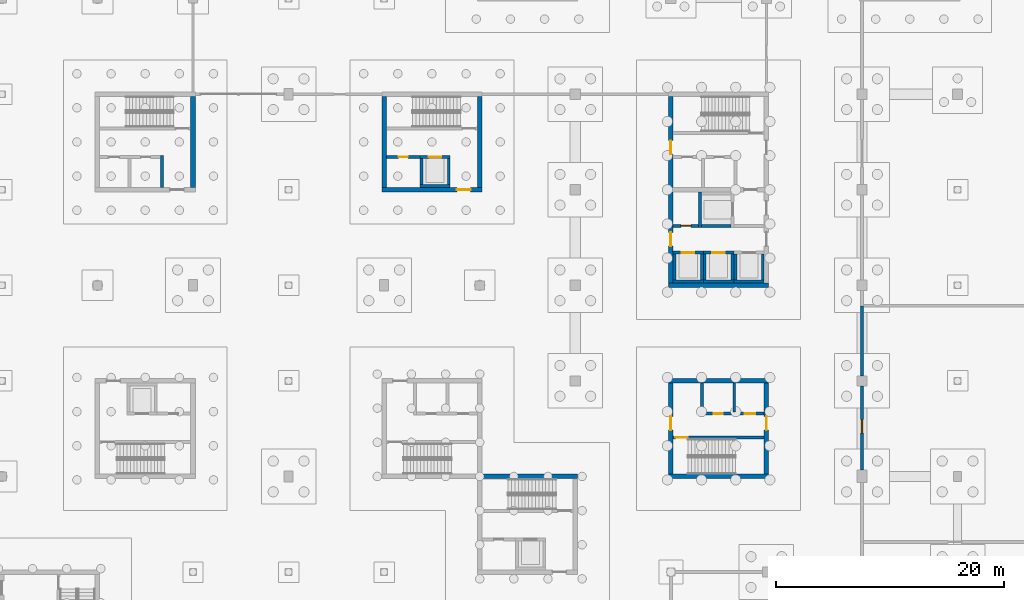
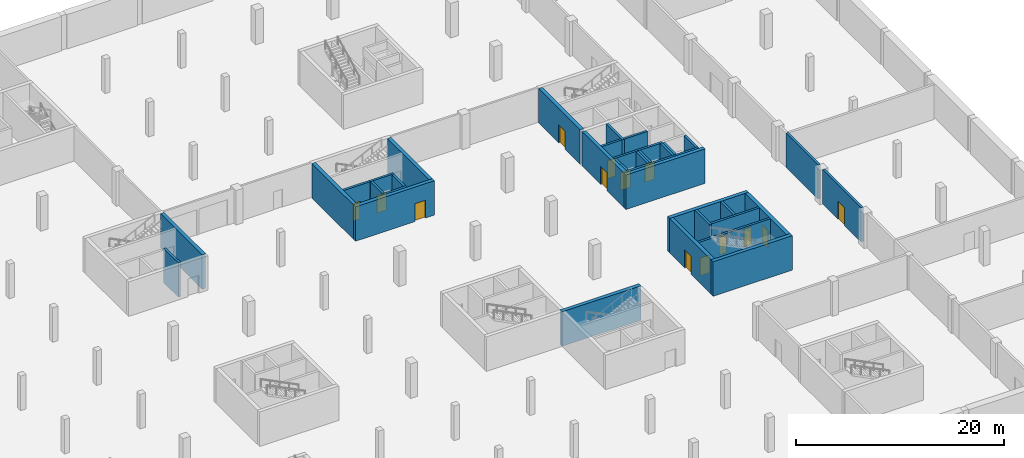
# One storey, part 13 of 23: 38 walls, 14 doors, 14 openings.
"""IFC4 building model written with IfcOpenShell, lengths in metres."""

from ifc_helpers import new_model, si_unit, direction, frame, frame_2d, origin, place, context, subcontext, project, spatial, rectangle, extrude, material, layer, layer_set, type_object, element, fill, save


model = new_model("IFC4")

# Units and contexts
model_context = context("Model", 3, precision=1e-05, world=origin(), true_north=direction((0.0, 1.0)))
body_context = subcontext(model_context, "Body", "Model", "MODEL_VIEW")
ifc_project = project(units=[si_unit("LENGTHUNIT", "METRE"), si_unit("AREAUNIT", "SQUARE_METRE"), si_unit("VOLUMEUNIT", "CUBIC_METRE"), si_unit("PLANEANGLEUNIT", "RADIAN"), si_unit("MASSUNIT", "GRAM", prefix="KILO")], contexts=[model_context])

# Site, building, storey
site_placement = place(None, origin())
site = spatial("IfcSite", under=ifc_project, at=site_placement, CompositionType="ELEMENT")
building_placement = place(site_placement, origin())
building = spatial("IfcBuilding", under=site, at=building_placement, Name="Hlaing Beacon Police Headquarters", CompositionType="ELEMENT")
storey_placement = place(building_placement, frame((0.0, 0.0, -4.5)))
storey = spatial("IfcBuildingStorey", under=building, at=storey_placement, Name="B1", CompositionType="ELEMENT", Elevation=-4.5)

# Wall
ifc_material_1 = material(Name="Concrete C60/75", Category="concrete")
ifc_layer_1 = layer(ifc_material_1, 0.39990234375)
ifc_layer_set_1 = layer_set([ifc_layer_1], Name="Concrete C60/75")
wall_type_1 = type_object("IfcWallType", Name="Core shear wall 400", PredefinedType="SHEAR", material=ifc_layer_set_1)
wall_1_placement = place(storey_placement, frame((67.199951171875, 59.0, 0.0), z_axis=(0.0, 0.0, 1.0), x_axis=(0.0, 1.0, 0.0)))
element("IfcWall", 1, at=wall_1_placement, inside=storey, type_object=wall_type_1, Name="Core shear wall", PredefinedType="SHEAR", context=body_context, shape_type="SweptSolid", body=[
    extrude(rectangle(XDim=8.0, YDim=0.39990234375, at=frame_2d((4.0, 0.0))), origin(), (0.0, 0.0, 1.0), 4.050048828125),
])

# Wall, opening, door
wall_2_placement = place(storey_placement, frame((83.800048828125, 58.800048828125, 0.0), z_axis=(0.0, 0.0, 1.0), x_axis=(1.0, 0.0, 0.0)))
wall_2 = element("IfcWall", 2, at=wall_2_placement, inside=storey, type_object=wall_type_1, Name="Core shear wall", PredefinedType="SHEAR", context=body_context, shape_type="SweptSolid", body=[
    extrude(rectangle(XDim=8.800048828125, YDim=0.39990234375, at=frame_2d((4.39990234375, 0.0))), origin(), (0.0, 0.0, 1.0), 4.050048828125),
])
opening_1_placement = place(wall_2_placement, frame((6.60009765625, 0.0, 0.0)))
opening_1 = element("IfcOpeningElement", 3, at=opening_1_placement, cuts=wall_2, Name="Opening B1-912", PredefinedType="OPENING", context=body_context, shape_type="SweptSolid", body=[
    extrude(rectangle(XDim=1.199951171875, YDim=2.10009765625, at=frame_2d((0.60009765625, 1.050048828125))), frame((0.0, 0.2099609375, 0.0), z_axis=(0.0, -1.0, 0.0), x_axis=(1.0, 0.0, 0.0)), (0.0, 0.0, 1.0), 0.419921875),
])
ifc_material_2 = material(Name="Steel fire door leaf", Category="steel")
ifc_layer_2 = layer(ifc_material_2, 0.070068359375)
ifc_layer_set_2 = layer_set([ifc_layer_2], Name="Steel fire door leaf")
door_type_1 = type_object("IfcDoorType", Name="Steel fire door FD60S 1200x2100", OperationType="SINGLE_SWING_LEFT", PredefinedType="DOOR", material=ifc_layer_set_2)
door_1_placement = place(opening_1_placement, origin())
door_1 = element("IfcDoor", 4, at=door_1_placement, inside=storey, type_object=door_type_1, Name="Door Lift and Stair Lobby ST-D Entry", OperationType="SINGLE_SWING_RIGHT", OverallHeight=2.10009765625, OverallWidth=1.199951171875, PredefinedType="DOOR", context=body_context, shape_type="SweptSolid", body=[
    extrude(rectangle(XDim=1.199951171875, YDim=2.10009765625, at=frame_2d((0.60009765625, 1.050048828125))), frame((0.0, 0.03515625, 0.0), z_axis=(0.0, -1.0, 0.0), x_axis=(1.0, 0.0, 0.0)), (0.0, 0.0, 1.0), 0.070068359375),
])
fill(opening_1, door_1)

# Walls
for number, where, z_axis, x_axis, name in (
    (5, (84.0, 59.0, 0.0), (0.0, 0.0, 1.0), (0.0, 1.0, 0.0), "Core shear wall"),
    (6, (92.39990234375, 59.0, 0.0), (0.0, 0.0, 1.0), (0.0, 1.0, 0.0), "Core shear wall"),
):
    element("IfcWall", number, at=place(storey_placement, frame(where, z_axis=z_axis, x_axis=x_axis)), inside=storey, type_object=wall_type_1, Name=name, PredefinedType="SHEAR", context=body_context, shape_type="SweptSolid", body=[
        extrude(rectangle(XDim=8.0, YDim=0.39990234375, at=frame_2d((4.0, 0.0))), origin(), (0.0, 0.0, 1.0), 4.050048828125),
    ])
for number, where, z_axis, x_axis, name in (
    (7, (92.199951171875, 33.60009765625, 0.0), (0.0, 0.0, 1.0), (1.0, 0.0, 0.0), "Core shear wall"),
    (8, (109.0, 50.39990234375, 0.0), (0.0, 0.0, 1.0), (1.0, 0.0, 0.0), "Core shear wall"),
):
    element("IfcWall", number, at=place(storey_placement, frame(where, z_axis=z_axis, x_axis=x_axis)), inside=storey, type_object=wall_type_1, Name=name, PredefinedType="SHEAR", context=body_context, shape_type="SweptSolid", body=[
        extrude(rectangle(XDim=8.800048828125, YDim=0.39990234375, at=frame_2d((4.39990234375, 0.0))), origin(), (0.0, 0.0, 1.0), 4.050048828125),
    ])

# Wall, opening, door
wall_3_placement = place(storey_placement, frame((109.199951171875, 50.60009765625, 0.0), z_axis=(0.0, 0.0, 1.0), x_axis=(0.0, 1.0, 0.0)))
wall_3 = element("IfcWall", 9, at=wall_3_placement, inside=storey, type_object=wall_type_1, Name="Core shear wall", PredefinedType="SHEAR", context=body_context, shape_type="SweptSolid", body=[
    extrude(rectangle(XDim=8.0, YDim=0.39990234375, at=frame_2d((4.0, 0.0))), origin(), (0.0, 0.0, 1.0), 4.050048828125),
])
opening_2_placement = place(wall_3_placement, frame((3.25, 0.0, 0.0)))
opening_2 = element("IfcOpeningElement", 10, at=opening_2_placement, cuts=wall_3, Name="Opening B1-935", PredefinedType="OPENING", context=body_context, shape_type="SweptSolid", body=[
    extrude(rectangle(XDim=1.199951171875, YDim=2.10009765625, at=frame_2d((0.60009765625, 1.050048828125))), frame((0.0, 0.2099609375, 0.0), z_axis=(0.0, -1.0, 0.0), x_axis=(1.0, 0.0, 0.0)), (0.0, 0.0, 1.0), 0.419921875),
])
door_2_placement = place(opening_2_placement, frame((1.199951171875, 0.0, 0.0), z_axis=(0.0, 0.0, 1.0), x_axis=(-1.0, 0.0, 0.0)))
door_2 = element("IfcDoor", 11, at=door_2_placement, inside=storey, type_object=door_type_1, Name="Door Lift Lobby Entry", OperationType="SINGLE_SWING_LEFT", OverallHeight=2.10009765625, OverallWidth=1.199951171875, PredefinedType="DOOR", context=body_context, shape_type="SweptSolid", body=[
    extrude(rectangle(XDim=1.199951171875, YDim=2.10009765625, at=frame_2d((0.599853515625, 1.050048828125))), frame((0.0, 0.034912109375, 0.0), z_axis=(0.0, -1.0, 0.0), x_axis=(1.0, 0.0, 0.0)), (0.0, 0.0, 1.0), 0.070068359375),
])
fill(opening_2, door_2)

wall_4_placement = place(storey_placement, frame((109.199951171875, 59.0, 0.0), z_axis=(0.0, 0.0, 1.0), x_axis=(0.0, 1.0, 0.0)))
wall_4 = element("IfcWall", 12, at=wall_4_placement, inside=storey, type_object=wall_type_1, Name="Core shear wall", PredefinedType="SHEAR", context=body_context, shape_type="SweptSolid", body=[
    extrude(rectangle(XDim=8.0, YDim=0.39990234375, at=frame_2d((4.0, 0.0))), origin(), (0.0, 0.0, 1.0), 4.050048828125),
])
opening_3_placement = place(wall_4_placement, frame((2.925048828125, 0.0, 0.0)))
opening_3 = element("IfcOpeningElement", 13, at=opening_3_placement, cuts=wall_4, Name="Opening B1-941", PredefinedType="OPENING", context=body_context, shape_type="SweptSolid", body=[
    extrude(rectangle(XDim=1.199951171875, YDim=2.10009765625, at=frame_2d((0.60009765625, 1.050048828125))), frame((0.0, 0.2099609375, 0.0), z_axis=(0.0, -1.0, 0.0), x_axis=(1.0, 0.0, 0.0)), (0.0, 0.0, 1.0), 0.419921875),
])
door_3_placement = place(opening_3_placement, frame((1.199951171875, 0.0, 0.0), z_axis=(0.0, 0.0, 1.0), x_axis=(-1.0, 0.0, 0.0)))
door_3 = element("IfcDoor", 14, at=door_3_placement, inside=storey, type_object=door_type_1, Name="Door Stair Lobby ST-M Entry", OperationType="SINGLE_SWING_LEFT", OverallHeight=2.10009765625, OverallWidth=1.199951171875, PredefinedType="DOOR", context=body_context, shape_type="SweptSolid", body=[
    extrude(rectangle(XDim=1.199951171875, YDim=2.10009765625, at=frame_2d((0.599853515625, 1.050048828125))), frame((0.0, 0.034912109375, 0.0), z_axis=(0.0, -1.0, 0.0), x_axis=(1.0, 0.0, 0.0)), (0.0, 0.0, 1.0), 0.070068359375),
])
fill(opening_3, door_3)

# Walls
for number, where, z_axis, x_axis, name in (
    (15, (109.0, 33.60009765625, 0.0), (0.0, 0.0, 1.0), (1.0, 0.0, 0.0), "Core shear wall"),
    (16, (109.0, 42.0, 0.0), (0.0, 0.0, 1.0), (1.0, 0.0, 0.0), "Core shear wall"),
):
    element("IfcWall", number, at=place(storey_placement, frame(where, z_axis=z_axis, x_axis=x_axis)), inside=storey, type_object=wall_type_1, Name=name, PredefinedType="SHEAR", context=body_context, shape_type="SweptSolid", body=[
        extrude(rectangle(XDim=8.800048828125, YDim=0.39990234375, at=frame_2d((4.39990234375, 0.0))), origin(), (0.0, 0.0, 1.0), 4.050048828125),
    ])

# Wall, opening, door
wall_5_placement = place(storey_placement, frame((109.199951171875, 33.800048828125, 0.0), z_axis=(0.0, 0.0, 1.0), x_axis=(0.0, 1.0, 0.0)))
wall_5 = element("IfcWall", 17, at=wall_5_placement, inside=storey, type_object=wall_type_1, Name="Core shear wall", PredefinedType="SHEAR", context=body_context, shape_type="SweptSolid", body=[
    extrude(rectangle(XDim=8.0, YDim=0.39990234375, at=frame_2d((4.0, 0.0))), origin(), (0.0, 0.0, 1.0), 4.050048828125),
])
opening_4_placement = place(wall_5_placement, frame((3.875, 0.0, 0.0)))
opening_4 = element("IfcOpeningElement", 18, at=opening_4_placement, cuts=wall_5, Name="Opening B1-946", PredefinedType="OPENING", context=body_context, shape_type="SweptSolid", body=[
    extrude(rectangle(XDim=1.199951171875, YDim=2.10009765625, at=frame_2d((0.60009765625, 1.050048828125))), frame((0.0, 0.2099609375, 0.0), z_axis=(0.0, -1.0, 0.0), x_axis=(1.0, 0.0, 0.0)), (0.0, 0.0, 1.0), 0.419921875),
])
door_4_placement = place(opening_4_placement, frame((1.199951171875, 0.0, 0.0), z_axis=(0.0, 0.0, 1.0), x_axis=(-1.0, 0.0, 0.0)))
door_4 = element("IfcDoor", 19, at=door_4_placement, inside=storey, type_object=door_type_1, Name="Door Stair Lobby ST-L Entry", OperationType="SINGLE_SWING_RIGHT", OverallHeight=2.10009765625, OverallWidth=1.199951171875, PredefinedType="DOOR", context=body_context, shape_type="SweptSolid", body=[
    extrude(rectangle(XDim=1.199951171875, YDim=2.10009765625, at=frame_2d((0.599853515625, 1.050048828125))), frame((0.0, 0.034912109375, 0.0), z_axis=(0.0, -1.0, 0.0), x_axis=(1.0, 0.0, 0.0)), (0.0, 0.0, 1.0), 0.070068359375),
])
fill(opening_4, door_4)

wall_6_placement = place(storey_placement, frame((117.60009765625, 33.800048828125, 0.0), z_axis=(0.0, 0.0, 1.0), x_axis=(0.0, 1.0, 0.0)))
wall_6 = element("IfcWall", 20, at=wall_6_placement, inside=storey, type_object=wall_type_1, Name="Core shear wall", PredefinedType="SHEAR", context=body_context, shape_type="SweptSolid", body=[
    extrude(rectangle(XDim=8.0, YDim=0.39990234375, at=frame_2d((4.0, 0.0))), origin(), (0.0, 0.0, 1.0), 4.050048828125),
])
opening_5_placement = place(wall_6_placement, frame((3.875, 0.0, 0.0)))
opening_5 = element("IfcOpeningElement", 21, at=opening_5_placement, cuts=wall_6, Name="Opening B1-947", PredefinedType="OPENING", context=body_context, shape_type="SweptSolid", body=[
    extrude(rectangle(XDim=1.199951171875, YDim=2.10009765625, at=frame_2d((0.60009765625, 1.050048828125))), frame((0.0, 0.2099609375, 0.0), z_axis=(0.0, -1.0, 0.0), x_axis=(1.0, 0.0, 0.0)), (0.0, 0.0, 1.0), 0.419921875),
])
door_5_placement = place(opening_5_placement, origin())
door_5 = element("IfcDoor", 22, at=door_5_placement, inside=storey, type_object=door_type_1, Name="Door Stair Lobby ST-L Entry", OperationType="SINGLE_SWING_LEFT", OverallHeight=2.10009765625, OverallWidth=1.199951171875, PredefinedType="DOOR", context=body_context, shape_type="SweptSolid", body=[
    extrude(rectangle(XDim=1.199951171875, YDim=2.10009765625, at=frame_2d((0.60009765625, 1.050048828125))), frame((0.0, 0.03515625, 0.0), z_axis=(0.0, -1.0, 0.0), x_axis=(1.0, 0.0, 0.0)), (0.0, 0.0, 1.0), 0.070068359375),
])
fill(opening_5, door_5)

ifc_material_3 = material(Name="Concrete blockwork 7.5 N/mm2", Category="masonry")
ifc_layer_3 = layer(ifc_material_3, 0.25)
ifc_layer_set_3 = layer_set([ifc_layer_3], Name="Concrete blockwork 7.5 N/mm2")
wall_type_2 = type_object("IfcWallType", Name="Plant room wall EI 120 250", PredefinedType="PARTITIONING", material=ifc_layer_set_3)
wall_7_placement = place(storey_placement, frame((126.0, 34.14990234375, 0.0), z_axis=(0.0, 0.0, 1.0), x_axis=(0.0, 1.0, 0.0)))
wall_7 = element("IfcWall", 23, at=wall_7_placement, inside=storey, type_object=wall_type_2, Name="Plant room wall EI 120 250", PredefinedType="PARTITIONING", context=body_context, shape_type="SweptSolid", body=[
    extrude(rectangle(XDim=7.400146484375, YDim=0.25, at=frame_2d((3.7001953125, 0.0))), origin(), (0.0, 0.0, 1.0), 4.050048828125),
])
opening_6_placement = place(wall_7_placement, frame((3.25, 0.0, 0.0)))
opening_6 = element("IfcOpeningElement", 24, at=opening_6_placement, cuts=wall_7, Name="Opening B1-003", PredefinedType="OPENING", context=body_context, shape_type="SweptSolid", body=[
    extrude(rectangle(XDim=1.199951171875, YDim=2.10009765625, at=frame_2d((0.60009765625, 1.050048828125))), frame((0.0, 0.135009765625, 0.0), z_axis=(0.0, -1.0, 0.0), x_axis=(1.0, 0.0, 0.0)), (0.0, 0.0, 1.0), 0.27001953125),
])
ifc_material_4 = material(Name="Steel fire door leaf", Category="steel")
ifc_layer_4 = layer(ifc_material_4, 0.10009765625)
ifc_layer_set_4 = layer_set([ifc_layer_4], Name="Steel fire door leaf")
door_type_2 = type_object("IfcDoorType", Name="Steel plant door FD120 1200x2100", OperationType="SINGLE_SWING_LEFT", PredefinedType="DOOR", material=ifc_layer_set_4)
door_6_placement = place(opening_6_placement, frame((1.199951171875, 0.0, 0.0), z_axis=(0.0, 0.0, 1.0), x_axis=(-1.0, 0.0, 0.0)))
door_6 = element("IfcDoor", 25, at=door_6_placement, inside=storey, type_object=door_type_2, Name="Door Chiller and Pump Room", OperationType="SINGLE_SWING_LEFT", OverallHeight=2.10009765625, OverallWidth=1.199951171875, PredefinedType="DOOR", context=body_context, shape_type="SweptSolid", body=[
    extrude(rectangle(XDim=1.199951171875, YDim=2.10009765625, at=frame_2d((0.599853515625, 1.050048828125))), frame((0.0, 0.050048828125, 0.0), z_axis=(0.0, -1.0, 0.0), x_axis=(1.0, 0.0, 0.0)), (0.0, 0.0, 1.0), 0.10009765625),
])
fill(opening_6, door_6)

# Walls
wall_8_placement = place(storey_placement, frame((126.0, 42.449951171875, 0.0), z_axis=(0.0, 0.0, 1.0), x_axis=(0.0, 1.0, 0.0)))
element("IfcWall", 26, at=wall_8_placement, inside=storey, type_object=wall_type_2, Name="Plant room wall EI 120 250", PredefinedType="PARTITIONING", context=body_context, shape_type="SweptSolid", body=[
    extrude(rectangle(XDim=6.150146484375, YDim=0.25, at=frame_2d((3.0751953125, 0.0))), origin(), (0.0, 0.0, 1.0), 4.050048828125),
])
ifc_material_5 = material(Name="Concrete C40/50", Category="concrete")
ifc_layer_5 = layer(ifc_material_5, 0.25)
ifc_layer_set_5 = layer_set([ifc_layer_5], Name="Concrete C40/50")
wall_type_3 = type_object("IfcWallType", Name="Shaft wall 250", PredefinedType="SOLIDWALL", material=ifc_layer_set_5)
wall_9_placement = place(storey_placement, frame((64.47509765625, 61.800048828125, 0.0), z_axis=(0.0, 0.0, 1.0), x_axis=(0.0, -1.0, 0.0)))
element("IfcWall", 27, at=wall_9_placement, inside=storey, type_object=wall_type_3, Name="Lobby wall", PredefinedType="SOLIDWALL", context=body_context, shape_type="SweptSolid", body=[
    extrude(rectangle(XDim=2.800048828125, YDim=0.25, at=frame_2d((1.39990234375, 0.0))), origin(), (0.0, 0.0, 1.0), 4.050048828125),
])

# Wall, opening, door
wall_10_placement = place(storey_placement, frame((87.14990234375, 61.675048828125, 0.0), z_axis=(0.0, 0.0, 1.0), x_axis=(-1.0, 0.0, 0.0)))
wall_10 = element("IfcWall", 28, at=wall_10_placement, inside=storey, type_object=wall_type_3, Name="Lobby wall", PredefinedType="SOLIDWALL", context=body_context, shape_type="SweptSolid", body=[
    extrude(rectangle(XDim=2.949951171875, YDim=0.25, at=frame_2d((1.47509765625, 0.0))), origin(), (0.0, 0.0, 1.0), 4.050048828125),
])
opening_7_placement = place(wall_10_placement, frame((1.074951171875, 0.0, 0.0)))
opening_7 = element("IfcOpeningElement", 29, at=opening_7_placement, cuts=wall_10, Name="Opening B1-913", PredefinedType="OPENING", context=body_context, shape_type="SweptSolid", body=[
    extrude(rectangle(XDim=0.800048828125, YDim=2.10009765625, at=frame_2d((0.39990234375, 1.050048828125))), frame((0.0, 0.135009765625, 0.0), z_axis=(0.0, -1.0, 0.0), x_axis=(1.0, 0.0, 0.0)), (0.0, 0.0, 1.0), 0.27001953125),
])
ifc_material_6 = material(Name="Steel fire door leaf", Category="steel")
ifc_layer_6 = layer(ifc_material_6, 0.070068359375)
ifc_layer_set_6 = layer_set([ifc_layer_6], Name="Steel fire door leaf")
door_type_3 = type_object("IfcDoorType", Name="Steel fire door FD60 800x2100", OperationType="SINGLE_SWING_LEFT", PredefinedType="DOOR", material=ifc_layer_set_6)
door_7_placement = place(opening_7_placement, origin())
door_7 = element("IfcDoor", 30, at=door_7_placement, inside=storey, type_object=door_type_3, Name="Door Services Riser", OperationType="SINGLE_SWING_RIGHT", OverallHeight=2.10009765625, OverallWidth=0.800048828125, PredefinedType="DOOR", context=body_context, shape_type="SweptSolid", body=[
    extrude(rectangle(XDim=0.800048828125, YDim=2.10009765625, at=frame_2d((0.39990234375, 1.050048828125))), frame((0.0, 0.03515625, 0.0), z_axis=(0.0, -1.0, 0.0), x_axis=(1.0, 0.0, 0.0)), (0.0, 0.0, 1.0), 0.070068359375),
])
fill(opening_7, door_7)

wall_11_placement = place(storey_placement, frame((109.39990234375, 55.625, 0.0), z_axis=(0.0, 0.0, 1.0), x_axis=(1.0, 0.0, 0.0)))
wall_11 = element("IfcWall", 31, at=wall_11_placement, inside=storey, type_object=wall_type_3, Name="Lobby wall", PredefinedType="SOLIDWALL", context=body_context, shape_type="SweptSolid", body=[
    extrude(rectangle(XDim=2.25, YDim=0.25, at=frame_2d((1.125, 0.0))), origin(), (0.0, 0.0, 1.0), 4.050048828125),
])
opening_8_placement = place(wall_11_placement, frame((0.675048828125, 0.0, 0.0)))
opening_8 = element("IfcOpeningElement", 32, at=opening_8_placement, cuts=wall_11, Name="Opening B1-939", PredefinedType="OPENING", context=body_context, shape_type="SweptSolid", body=[
    extrude(rectangle(XDim=0.89990234375, YDim=2.10009765625, at=frame_2d((0.449951171875, 1.050048828125))), frame((0.0, 0.135009765625, 0.0), z_axis=(0.0, -1.0, 0.0), x_axis=(1.0, 0.0, 0.0)), (0.0, 0.0, 1.0), 0.27001953125),
])
ifc_material_7 = material(Name="Steel fire door leaf", Category="steel")
ifc_layer_7 = layer(ifc_material_7, 0.10009765625)
ifc_layer_set_7 = layer_set([ifc_layer_7], Name="Steel fire door leaf")
door_type_4 = type_object("IfcDoorType", Name="Steel fire door FD120 900x2100", OperationType="SINGLE_SWING_LEFT", PredefinedType="DOOR", material=ifc_layer_set_7)
door_8_placement = place(opening_8_placement, origin())
door_8 = element("IfcDoor", 33, at=door_8_placement, inside=storey, type_object=door_type_4, Name="Door Electrical Riser Room", OperationType="SINGLE_SWING_LEFT", OverallHeight=2.10009765625, OverallWidth=0.89990234375, PredefinedType="DOOR", context=body_context, shape_type="SweptSolid", body=[
    extrude(rectangle(XDim=0.89990234375, YDim=2.10009765625, at=frame_2d((0.449951171875, 1.050048828125))), frame((0.0, 0.050048828125, 0.0), z_axis=(0.0, -1.0, 0.0), x_axis=(1.0, 0.0, 0.0)), (0.0, 0.0, 1.0), 0.10009765625),
])
fill(opening_8, door_8)

wall_12_placement = place(storey_placement, frame((109.39990234375, 37.02490234375, 0.0), z_axis=(0.0, 0.0, 1.0), x_axis=(1.0, 0.0, 0.0)))
wall_12 = element("IfcWall", 34, at=wall_12_placement, inside=storey, type_object=wall_type_3, Name="Stair enclosure wall", PredefinedType="SOLIDWALL", context=body_context, shape_type="SweptSolid", body=[
    extrude(rectangle(XDim=8.0, YDim=0.25, at=frame_2d((4.0, 0.0))), origin(), (0.0, 0.0, 1.0), 4.050048828125),
])
opening_9_placement = place(wall_12_placement, frame((0.199951171875, 0.0, 0.0)))
opening_9 = element("IfcOpeningElement", 35, at=opening_9_placement, cuts=wall_12, Name="Opening B1-949", PredefinedType="OPENING", context=body_context, shape_type="SweptSolid", body=[
    extrude(rectangle(XDim=1.10009765625, YDim=2.10009765625, at=frame_2d((0.550048828125, 1.050048828125))), frame((0.0, 0.135009765625, 0.0), z_axis=(0.0, -1.0, 0.0), x_axis=(1.0, 0.0, 0.0)), (0.0, 0.0, 1.0), 0.27001953125),
])
ifc_material_8 = material(Name="Steel fire door leaf", Category="steel")
ifc_layer_8 = layer(ifc_material_8, 0.070068359375)
ifc_layer_set_8 = layer_set([ifc_layer_8], Name="Steel fire door leaf")
door_type_5 = type_object("IfcDoorType", Name="Steel fire door FD60 1100x2100", OperationType="SINGLE_SWING_LEFT", PredefinedType="DOOR", material=ifc_layer_set_8)
door_9_placement = place(opening_9_placement, frame((1.10009765625, 0.0, 0.0), z_axis=(0.0, 0.0, 1.0), x_axis=(-1.0, 0.0, 0.0)))
door_9 = element("IfcDoor", 36, at=door_9_placement, inside=storey, type_object=door_type_5, Name="Door Stair ST-L", OperationType="SINGLE_SWING_LEFT", OverallHeight=2.10009765625, OverallWidth=1.10009765625, PredefinedType="DOOR", context=body_context, shape_type="SweptSolid", body=[
    extrude(rectangle(XDim=1.10009765625, YDim=2.10009765625, at=frame_2d((0.550048828125, 1.050048828125))), frame((0.0, 0.034912109375, 0.0), z_axis=(0.0, -1.0, 0.0), x_axis=(1.0, 0.0, 0.0)), (0.0, 0.0, 1.0), 0.070068359375),
])
fill(opening_9, door_9)

# Wall
wall_13_placement = place(storey_placement, frame((111.925048828125, 39.0, 0.0), z_axis=(0.0, 0.0, 1.0), x_axis=(0.0, 1.0, 0.0)))
element("IfcWall", 37, at=wall_13_placement, inside=storey, type_object=wall_type_3, Name="Lobby wall", PredefinedType="SOLIDWALL", context=body_context, shape_type="SweptSolid", body=[
    extrude(rectangle(XDim=2.800048828125, YDim=0.25, at=frame_2d((1.39990234375, 0.0))), origin(), (0.0, 0.0, 1.0), 4.050048828125),
])

# Wall, openings, doors
wall_14_placement = place(storey_placement, frame((112.050048828125, 39.125, 0.0), z_axis=(0.0, 0.0, 1.0), x_axis=(1.0, 0.0, 0.0)))
wall_14 = element("IfcWall", 38, at=wall_14_placement, inside=storey, type_object=wall_type_3, Name="Lobby wall", PredefinedType="SOLIDWALL", context=body_context, shape_type="SweptSolid", body=[
    extrude(rectangle(XDim=5.349853515625, YDim=0.25, at=frame_2d((2.6748046875, 0.0))), origin(), (0.0, 0.0, 1.0), 4.050048828125),
])
opening_10_placement = place(wall_14_placement, frame((3.64990234375, 0.0, 0.0)))
opening_10 = element("IfcOpeningElement", 39, at=opening_10_placement, cuts=wall_14, Name="Opening B1-945", PredefinedType="OPENING", context=body_context, shape_type="SweptSolid", body=[
    extrude(rectangle(XDim=0.89990234375, YDim=2.10009765625, at=frame_2d((0.449951171875, 1.050048828125))), frame((0.0, 0.135009765625, 0.0), z_axis=(0.0, -1.0, 0.0), x_axis=(1.0, 0.0, 0.0)), (0.0, 0.0, 1.0), 0.27001953125),
])
opening_11_placement = place(wall_14_placement, frame((0.89990234375, 0.0, 0.0)))
opening_11 = element("IfcOpeningElement", 40, at=opening_11_placement, cuts=wall_14, Name="Opening B1-948", PredefinedType="OPENING", context=body_context, shape_type="SweptSolid", body=[
    extrude(rectangle(XDim=0.800048828125, YDim=2.10009765625, at=frame_2d((0.39990234375, 1.050048828125))), frame((0.0, 0.135009765625, 0.0), z_axis=(0.0, -1.0, 0.0), x_axis=(1.0, 0.0, 0.0)), (0.0, 0.0, 1.0), 0.27001953125),
])
door_10_placement = place(opening_11_placement, origin())
door_10 = element("IfcDoor", 41, at=door_10_placement, inside=storey, type_object=door_type_3, Name="Door Services Riser", OperationType="SINGLE_SWING_RIGHT", OverallHeight=2.10009765625, OverallWidth=0.800048828125, PredefinedType="DOOR", context=body_context, shape_type="SweptSolid", body=[
    extrude(rectangle(XDim=0.800048828125, YDim=2.10009765625, at=frame_2d((0.39990234375, 1.050048828125))), frame((0.0, 0.03515625, 0.0), z_axis=(0.0, -1.0, 0.0), x_axis=(1.0, 0.0, 0.0)), (0.0, 0.0, 1.0), 0.070068359375),
])
fill(opening_11, door_10)
ifc_material_9 = material(Name="Steel fire door leaf", Category="steel")
ifc_layer_9 = layer(ifc_material_9, 0.070068359375)
ifc_layer_set_9 = layer_set([ifc_layer_9], Name="Steel fire door leaf")
door_type_6 = type_object("IfcDoorType", Name="Steel fire door FD60 900x2100", OperationType="SINGLE_SWING_LEFT", PredefinedType="DOOR", material=ifc_layer_set_9)
door_11_placement = place(opening_10_placement, origin())
door_11 = element("IfcDoor", 42, at=door_11_placement, inside=storey, type_object=door_type_6, Name="Door Cleaners' Store", OperationType="SINGLE_SWING_LEFT", OverallHeight=2.10009765625, OverallWidth=0.89990234375, PredefinedType="DOOR", context=body_context, shape_type="SweptSolid", body=[
    extrude(rectangle(XDim=0.89990234375, YDim=2.10009765625, at=frame_2d((0.449951171875, 1.050048828125))), frame((0.0, 0.03515625, 0.0), z_axis=(0.0, -1.0, 0.0), x_axis=(1.0, 0.0, 0.0)), (0.0, 0.0, 1.0), 0.070068359375),
])
fill(opening_10, door_11)

# Walls
wall_15_placement = place(storey_placement, frame((114.77490234375, 39.25, 0.0), z_axis=(0.0, 0.0, 1.0), x_axis=(0.0, 1.0, 0.0)))
element("IfcWall", 43, at=wall_15_placement, inside=storey, type_object=wall_type_3, Name="Riser wall", PredefinedType="SOLIDWALL", context=body_context, shape_type="SweptSolid", body=[
    extrude(rectangle(XDim=2.550048828125, YDim=0.25, at=frame_2d((1.27490234375, 0.0))), origin(), (0.0, 0.0, 1.0), 4.050048828125),
])
wall_16_placement = place(storey_placement, frame((111.89990234375, 55.625, 0.0), z_axis=(0.0, 0.0, 1.0), x_axis=(1.0, 0.0, 0.0)))
element("IfcWall", 44, at=wall_16_placement, inside=storey, type_object=wall_type_3, Name="Lift shaft wall FL1", PredefinedType="SOLIDWALL", context=body_context, shape_type="SweptSolid", body=[
    extrude(rectangle(XDim=2.60009765625, YDim=0.25, at=frame_2d((1.300048828125, 0.0))), origin(), (0.0, 0.0, 1.0), 4.050048828125),
])
wall_17_placement = place(storey_placement, frame((111.77490234375, 55.5, 0.0), z_axis=(0.0, 0.0, 1.0), x_axis=(0.0, 1.0, 0.0)))
element("IfcWall", 45, at=wall_17_placement, inside=storey, type_object=wall_type_3, Name="Lift shaft wall FL1", PredefinedType="SOLIDWALL", context=body_context, shape_type="SweptSolid", body=[
    extrude(rectangle(XDim=3.10009765625, YDim=0.25, at=frame_2d((1.550048828125, 0.0))), origin(), (0.0, 0.0, 1.0), 4.050048828125),
])
wall_18_placement = place(storey_placement, frame((89.675048828125, 59.25, 0.0), z_axis=(0.0, 0.0, 1.0), x_axis=(0.0, 1.0, 0.0)))
element("IfcWall", 46, at=wall_18_placement, inside=storey, type_object=wall_type_3, Name="Lift shaft wall PL2", PredefinedType="SOLIDWALL", context=body_context, shape_type="SweptSolid", body=[
    extrude(rectangle(XDim=2.300048828125, YDim=0.25, at=frame_2d((1.14990234375, 0.0))), origin(), (0.0, 0.0, 1.0), 4.050048828125),
])

# Wall, opening, door
wall_19_placement = place(storey_placement, frame((87.14990234375, 61.675048828125, 0.0), z_axis=(0.0, 0.0, 1.0), x_axis=(1.0, 0.0, 0.0)))
wall_19 = element("IfcWall", 47, at=wall_19_placement, inside=storey, type_object=wall_type_3, Name="Lift shaft wall PL2", PredefinedType="SOLIDWALL", context=body_context, shape_type="SweptSolid", body=[
    extrude(rectangle(XDim=2.650146484375, YDim=0.25, at=frame_2d((1.3251953125, 0.0))), origin(), (0.0, 0.0, 1.0), 4.050048828125),
])
opening_12_placement = place(wall_19_placement, frame((0.77490234375, 0.0, 0.0)))
opening_12 = element("IfcOpeningElement", 48, at=opening_12_placement, cuts=wall_19, Name="Opening LD-PL2-B1", PredefinedType="OPENING", context=body_context, shape_type="SweptSolid", body=[
    extrude(rectangle(XDim=1.10009765625, YDim=2.10009765625, at=frame_2d((0.550048828125, 1.050048828125))), frame((0.0, 0.135009765625, 0.0), z_axis=(0.0, -1.0, 0.0), x_axis=(1.0, 0.0, 0.0)), (0.0, 0.0, 1.0), 0.27001953125),
])
ifc_material_10 = material(Name="Stainless steel lift landing door", Category="steel")
ifc_layer_10 = layer(ifc_material_10, 0.06005859375)
ifc_layer_set_10 = layer_set([ifc_layer_10], Name="Stainless steel lift landing door")
door_type_7 = type_object("IfcDoorType", Name="Lift landing door 1100x2100", OperationType="DOUBLE_DOOR_SLIDING", PredefinedType="DOOR", material=ifc_layer_set_10)
door_12_placement = place(opening_12_placement, origin())
door_12 = element("IfcDoor", 49, at=door_12_placement, inside=storey, type_object=door_type_7, Name="Landing door PL2 B1", OperationType="DOUBLE_DOOR_SLIDING", OverallHeight=2.10009765625, OverallWidth=1.10009765625, PredefinedType="DOOR", context=body_context, shape_type="SweptSolid", body=[
    extrude(rectangle(XDim=1.10009765625, YDim=2.10009765625, at=frame_2d((0.550048828125, 1.050048828125))), frame((0.0, 0.0400390625, 0.0), z_axis=(0.0, -1.0, 0.0), x_axis=(1.0, 0.0, 0.0)), (0.0, 0.0, 1.0), 0.080078125),
])
fill(opening_12, door_12)

# Walls
wall_20_placement = place(storey_placement, frame((87.14990234375, 59.125, 0.0), z_axis=(0.0, 0.0, 1.0), x_axis=(1.0, 0.0, 0.0)))
element("IfcWall", 50, at=wall_20_placement, inside=storey, type_object=wall_type_3, Name="Lift shaft wall PL2", PredefinedType="SOLIDWALL", context=body_context, shape_type="SweptSolid", body=[
    extrude(rectangle(XDim=2.650146484375, YDim=0.25, at=frame_2d((1.3251953125, 0.0))), origin(), (0.0, 0.0, 1.0), 4.050048828125),
])
wall_21_placement = place(storey_placement, frame((87.27490234375, 59.25, 0.0), z_axis=(0.0, 0.0, 1.0), x_axis=(0.0, 1.0, 0.0)))
element("IfcWall", 51, at=wall_21_placement, inside=storey, type_object=wall_type_3, Name="Lift shaft wall PL2", PredefinedType="SOLIDWALL", context=body_context, shape_type="SweptSolid", body=[
    extrude(rectangle(XDim=2.300048828125, YDim=0.25, at=frame_2d((1.14990234375, 0.0))), origin(), (0.0, 0.0, 1.0), 4.050048828125),
])
wall_22_placement = place(storey_placement, frame((111.925048828125, 50.85009765625, 0.0), z_axis=(0.0, 0.0, 1.0), x_axis=(0.0, 1.0, 0.0)))
element("IfcWall", 52, at=wall_22_placement, inside=storey, type_object=wall_type_3, Name="Lift shaft wall PL7", PredefinedType="SOLIDWALL", context=body_context, shape_type="SweptSolid", body=[
    extrude(rectangle(XDim=2.2998046875, YDim=0.25, at=frame_2d((1.14990234375, 0.0))), origin(), (0.0, 0.0, 1.0), 4.050048828125),
])

# Wall, opening, door
wall_23_placement = place(storey_placement, frame((109.39990234375, 53.27490234375, 0.0), z_axis=(0.0, 0.0, 1.0), x_axis=(1.0, 0.0, 0.0)))
wall_23 = element("IfcWall", 53, at=wall_23_placement, inside=storey, type_object=wall_type_3, Name="Lift shaft wall PL7", PredefinedType="SOLIDWALL", context=body_context, shape_type="SweptSolid", body=[
    extrude(rectangle(XDim=2.650146484375, YDim=0.25, at=frame_2d((1.3251953125, 0.0))), origin(), (0.0, 0.0, 1.0), 4.050048828125),
])
opening_13_placement = place(wall_23_placement, frame((0.77490234375, 0.0, 0.0)))
opening_13 = element("IfcOpeningElement", 54, at=opening_13_placement, cuts=wall_23, Name="Opening LD-PL7-B1", PredefinedType="OPENING", context=body_context, shape_type="SweptSolid", body=[
    extrude(rectangle(XDim=1.10009765625, YDim=2.10009765625, at=frame_2d((0.550048828125, 1.050048828125))), frame((0.0, 0.135009765625, 0.0), z_axis=(0.0, -1.0, 0.0), x_axis=(1.0, 0.0, 0.0)), (0.0, 0.0, 1.0), 0.27001953125),
])
door_13_placement = place(opening_13_placement, origin())
door_13 = element("IfcDoor", 55, at=door_13_placement, inside=storey, type_object=door_type_7, Name="Landing door PL7 B1", OperationType="DOUBLE_DOOR_SLIDING", OverallHeight=2.10009765625, OverallWidth=1.10009765625, PredefinedType="DOOR", context=body_context, shape_type="SweptSolid", body=[
    extrude(rectangle(XDim=1.10009765625, YDim=2.10009765625, at=frame_2d((0.550048828125, 1.050048828125))), frame((0.0, 0.0400390625, 0.0), z_axis=(0.0, -1.0, 0.0), x_axis=(1.0, 0.0, 0.0)), (0.0, 0.0, 1.0), 0.080078125),
])
fill(opening_13, door_13)

# Walls
wall_24_placement = place(storey_placement, frame((109.39990234375, 50.72509765625, 0.0), z_axis=(0.0, 0.0, 1.0), x_axis=(1.0, 0.0, 0.0)))
element("IfcWall", 56, at=wall_24_placement, inside=storey, type_object=wall_type_3, Name="Lift shaft wall PL7", PredefinedType="SOLIDWALL", context=body_context, shape_type="SweptSolid", body=[
    extrude(rectangle(XDim=2.650146484375, YDim=0.25, at=frame_2d((1.3251953125, 0.0))), origin(), (0.0, 0.0, 1.0), 4.050048828125),
])
for number, where, z_axis, x_axis, name in (
    (57, (109.52490234375, 50.85009765625, 0.0), (0.0, 0.0, 1.0), (0.0, 1.0, 0.0), "Lift shaft wall PL7"),
    (58, (114.625, 50.85009765625, 0.0), (0.0, 0.0, 1.0), (0.0, 1.0, 0.0), "Lift shaft wall PL8"),
):
    element("IfcWall", number, at=place(storey_placement, frame(where, z_axis=z_axis, x_axis=x_axis)), inside=storey, type_object=wall_type_3, Name=name, PredefinedType="SOLIDWALL", context=body_context, shape_type="SweptSolid", body=[
        extrude(rectangle(XDim=2.2998046875, YDim=0.25, at=frame_2d((1.14990234375, 0.0))), origin(), (0.0, 0.0, 1.0), 4.050048828125),
    ])

# Wall, opening, door
wall_25_placement = place(storey_placement, frame((112.050048828125, 53.27490234375, 0.0), z_axis=(0.0, 0.0, 1.0), x_axis=(1.0, 0.0, 0.0)))
wall_25 = element("IfcWall", 59, at=wall_25_placement, inside=storey, type_object=wall_type_3, Name="Lift shaft wall PL8", PredefinedType="SOLIDWALL", context=body_context, shape_type="SweptSolid", body=[
    extrude(rectangle(XDim=2.699951171875, YDim=0.25, at=frame_2d((1.35009765625, 0.0))), origin(), (0.0, 0.0, 1.0), 4.050048828125),
])
opening_14_placement = place(wall_25_placement, frame((0.800048828125, 0.0, 0.0)))
opening_14 = element("IfcOpeningElement", 60, at=opening_14_placement, cuts=wall_25, Name="Opening LD-PL8-B1", PredefinedType="OPENING", context=body_context, shape_type="SweptSolid", body=[
    extrude(rectangle(XDim=1.10009765625, YDim=2.10009765625, at=frame_2d((0.550048828125, 1.050048828125))), frame((0.0, 0.135009765625, 0.0), z_axis=(0.0, -1.0, 0.0), x_axis=(1.0, 0.0, 0.0)), (0.0, 0.0, 1.0), 0.27001953125),
])
door_14_placement = place(opening_14_placement, origin())
door_14 = element("IfcDoor", 61, at=door_14_placement, inside=storey, type_object=door_type_7, Name="Landing door PL8 B1", OperationType="DOUBLE_DOOR_SLIDING", OverallHeight=2.10009765625, OverallWidth=1.10009765625, PredefinedType="DOOR", context=body_context, shape_type="SweptSolid", body=[
    extrude(rectangle(XDim=1.10009765625, YDim=2.10009765625, at=frame_2d((0.550048828125, 1.050048828125))), frame((0.0, 0.0400390625, 0.0), z_axis=(0.0, -1.0, 0.0), x_axis=(1.0, 0.0, 0.0)), (0.0, 0.0, 1.0), 0.080078125),
])
fill(opening_14, door_14)

# Walls
wall_26_placement = place(storey_placement, frame((112.050048828125, 50.72509765625, 0.0), z_axis=(0.0, 0.0, 1.0), x_axis=(1.0, 0.0, 0.0)))
element("IfcWall", 62, at=wall_26_placement, inside=storey, type_object=wall_type_3, Name="Lift shaft wall PL8", PredefinedType="SOLIDWALL", context=body_context, shape_type="SweptSolid", body=[
    extrude(rectangle(XDim=2.699951171875, YDim=0.25, at=frame_2d((1.35009765625, 0.0))), origin(), (0.0, 0.0, 1.0), 4.050048828125),
])
for number, where, z_axis, x_axis, name in (
    (63, (112.175048828125, 50.85009765625, 0.0), (0.0, 0.0, 1.0), (0.0, 1.0, 0.0), "Lift shaft wall PL8"),
    (64, (117.27490234375, 50.85009765625, 0.0), (0.0, 0.0, 1.0), (0.0, 1.0, 0.0), "Lift shaft wall PL9"),
):
    element("IfcWall", number, at=place(storey_placement, frame(where, z_axis=z_axis, x_axis=x_axis)), inside=storey, type_object=wall_type_3, Name=name, PredefinedType="SOLIDWALL", context=body_context, shape_type="SweptSolid", body=[
        extrude(rectangle(XDim=2.2998046875, YDim=0.25, at=frame_2d((1.14990234375, 0.0))), origin(), (0.0, 0.0, 1.0), 4.050048828125),
    ])
wall_27_placement = place(storey_placement, frame((114.75, 50.72509765625, 0.0), z_axis=(0.0, 0.0, 1.0), x_axis=(1.0, 0.0, 0.0)))
element("IfcWall", 65, at=wall_27_placement, inside=storey, type_object=wall_type_3, Name="Lift shaft wall PL9", PredefinedType="SOLIDWALL", context=body_context, shape_type="SweptSolid", body=[
    extrude(rectangle(XDim=2.64990234375, YDim=0.25, at=frame_2d((1.324951171875, 0.0))), origin(), (0.0, 0.0, 1.0), 4.050048828125),
])
wall_28_placement = place(storey_placement, frame((114.875, 50.85009765625, 0.0), z_axis=(0.0, 0.0, 1.0), x_axis=(0.0, 1.0, 0.0)))
element("IfcWall", 66, at=wall_28_placement, inside=storey, type_object=wall_type_3, Name="Lift shaft wall PL9", PredefinedType="SOLIDWALL", context=body_context, shape_type="SweptSolid", body=[
    extrude(rectangle(XDim=2.2998046875, YDim=0.25, at=frame_2d((1.14990234375, 0.0))), origin(), (0.0, 0.0, 1.0), 4.050048828125),
])

save(model, "model.ifc")
